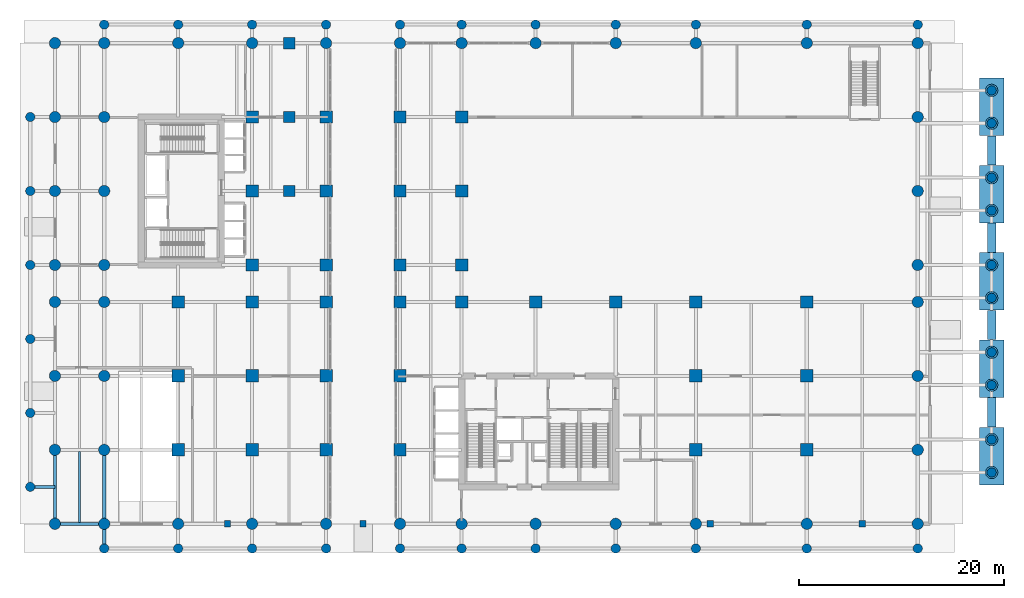
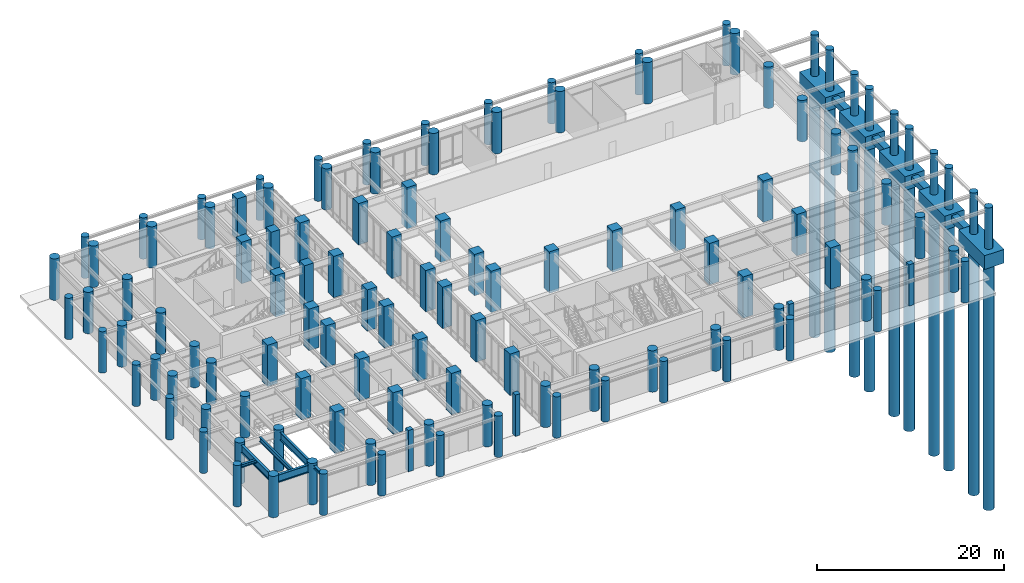
# One storey, part 1 of 23: 120 columns, 10 piles, 9 footings, 6 beams.
"""IFC4 building model written with IfcOpenShell, lengths in metres."""

from ifc_helpers import new_model, si_unit, derived_unit, direction, frame, origin, origin_2d, place, context, subcontext, project, spatial, polyline, rectangle, circle, i_section, outline, extrude, source, transform, mapped, material, layer, layer_set, material_profile, profile_set, type_object, type_shapes, element, save


model = new_model("IFC4")

# Units and contexts
model_context = context("Model", 3, precision=1e-05, world=origin(), true_north=direction((0.0, 1.0)))
body_context = subcontext(model_context, "Body", "Model", "MODEL_VIEW")
ifc_project = project(units=[si_unit("LENGTHUNIT", "METRE"), si_unit("AREAUNIT", "SQUARE_METRE"), si_unit("VOLUMEUNIT", "CUBIC_METRE"), si_unit("PLANEANGLEUNIT", "RADIAN"), si_unit("MASSUNIT", "GRAM", prefix="KILO"), si_unit("THERMODYNAMICTEMPERATUREUNIT", "KELVIN"), si_unit("POWERUNIT", "WATT"), derived_unit("THERMALTRANSMITTANCEUNIT", [(si_unit("POWERUNIT", "WATT"), 1), (si_unit("AREAUNIT", "SQUARE_METRE"), -1), (si_unit("THERMODYNAMICTEMPERATUREUNIT", "KELVIN"), -1)])], contexts=[model_context])

# Site, building, storey
site_placement = place(None, origin())
site = spatial("IfcSite", under=ifc_project, at=site_placement, CompositionType="ELEMENT")
building_placement = place(site_placement, origin())
building = spatial("IfcBuilding", under=site, at=building_placement, Name="Zahravan Archway Hotel and Residences", CompositionType="ELEMENT")
storey_placement = place(building_placement, origin())
storey = spatial("IfcBuildingStorey", under=building, at=storey_placement, Name="L00", CompositionType="ELEMENT", Elevation=0.0)

# Footings
ifc_material_1 = material(Name="Concrete C50/60", Category="concrete")
ifc_layer_1 = layer(ifc_material_1, 1.800048828125, Name="Concrete C50/60", Category="concrete")
ifc_layer_set_1 = layer_set([ifc_layer_1], Name="Concrete C50/60")
footing_type_1 = type_object("IfcFootingType", Name="FT-PCAP-1800", PredefinedType="PILE_CAP", material=ifc_layer_set_1)
footing_1_placement = place(storey_placement, frame((0.0, 0.0, -1.800048828125)))
element("IfcFooting", 1, at=footing_1_placement, inside=storey, type_object=footing_type_1, Name="East Porte-Cochere Two-Pile Cap 1", PredefinedType="PILE_CAP", context=body_context, shape_type="SweptSolid", body=[
    extrude(outline(polyline([(85.199951171875, 3.800048828125), (87.60009765625, 3.800048828125), (87.60009765625, 9.39990234375), (85.199951171875, 9.39990234375), (85.199951171875, 3.800048828125)])), origin(), (0.0, 0.0, 1.0), 1.800048828125),
])
footing_2_placement = place(storey_placement, frame((0.0, 0.0, -1.800048828125)))
element("IfcFooting", 2, at=footing_2_placement, inside=storey, type_object=footing_type_1, Name="East Porte-Cochere Two-Pile Cap 2", PredefinedType="PILE_CAP", context=body_context, shape_type="SweptSolid", body=[
    extrude(outline(polyline([(85.199951171875, 12.300048828125), (87.60009765625, 12.300048828125), (87.60009765625, 17.89990234375), (85.199951171875, 17.89990234375), (85.199951171875, 12.300048828125)])), origin(), (0.0, 0.0, 1.0), 1.800048828125),
])
footing_3_placement = place(storey_placement, frame((0.0, 0.0, -1.800048828125)))
element("IfcFooting", 3, at=footing_3_placement, inside=storey, type_object=footing_type_1, Name="East Porte-Cochere Two-Pile Cap 3", PredefinedType="PILE_CAP", context=body_context, shape_type="SweptSolid", body=[
    extrude(outline(polyline([(85.199951171875, 20.800048828125), (87.60009765625, 20.800048828125), (87.60009765625, 26.39990234375), (85.199951171875, 26.39990234375), (85.199951171875, 20.800048828125)])), origin(), (0.0, 0.0, 1.0), 1.800048828125),
])
footing_4_placement = place(storey_placement, frame((0.0, 0.0, -1.800048828125)))
element("IfcFooting", 4, at=footing_4_placement, inside=storey, type_object=footing_type_1, Name="East Porte-Cochere Two-Pile Cap 4", PredefinedType="PILE_CAP", context=body_context, shape_type="SweptSolid", body=[
    extrude(outline(polyline([(85.199951171875, 29.300048828125), (87.60009765625, 29.300048828125), (87.60009765625, 34.89990234375), (85.199951171875, 34.89990234375), (85.199951171875, 29.300048828125)])), origin(), (0.0, 0.0, 1.0), 1.800048828125),
])
footing_5_placement = place(storey_placement, frame((0.0, 0.0, -1.800048828125)))
element("IfcFooting", 5, at=footing_5_placement, inside=storey, type_object=footing_type_1, Name="East Porte-Cochere Two-Pile Cap 5", PredefinedType="PILE_CAP", context=body_context, shape_type="SweptSolid", body=[
    extrude(outline(polyline([(85.199951171875, 37.800048828125), (87.60009765625, 37.800048828125), (87.60009765625, 43.39990234375), (85.199951171875, 43.39990234375), (85.199951171875, 37.800048828125)])), origin(), (0.0, 0.0, 1.0), 1.800048828125),
])
ifc_layer_2 = layer(ifc_material_1, 0.800048828125, Name="Concrete C50/60", Category="concrete")
ifc_layer_set_2 = layer_set([ifc_layer_2], Name="Concrete C50/60")
footing_type_2 = type_object("IfcFootingType", Name="FT-TIE-800", PredefinedType="STRIP_FOOTING", material=ifc_layer_set_2)
footing_6_placement = place(storey_placement, frame((0.0, 0.0, -1.0)))
element("IfcFooting", 6, at=footing_6_placement, inside=storey, type_object=footing_type_2, Name="East Porte-Cochere Foundation Tie Beam 1", PredefinedType="STRIP_FOOTING", context=body_context, shape_type="SweptSolid", body=[
    extrude(outline(polyline([(86.0, 9.419921875), (86.800048828125, 9.419921875), (86.800048828125, 12.280029296875), (86.0, 12.280029296875), (86.0, 9.419921875)])), origin(), (0.0, 0.0, 1.0), 0.800048828125),
])
footing_7_placement = place(storey_placement, frame((0.0, 0.0, -1.0)))
element("IfcFooting", 7, at=footing_7_placement, inside=storey, type_object=footing_type_2, Name="East Porte-Cochere Foundation Tie Beam 2", PredefinedType="STRIP_FOOTING", context=body_context, shape_type="SweptSolid", body=[
    extrude(outline(polyline([(86.0, 17.919921875), (86.800048828125, 17.919921875), (86.800048828125, 20.780029296875), (86.0, 20.780029296875), (86.0, 17.919921875)])), origin(), (0.0, 0.0, 1.0), 0.800048828125),
])
footing_8_placement = place(storey_placement, frame((0.0, 0.0, -1.0)))
element("IfcFooting", 8, at=footing_8_placement, inside=storey, type_object=footing_type_2, Name="East Porte-Cochere Foundation Tie Beam 3", PredefinedType="STRIP_FOOTING", context=body_context, shape_type="SweptSolid", body=[
    extrude(outline(polyline([(86.0, 26.419921875), (86.800048828125, 26.419921875), (86.800048828125, 29.280029296875), (86.0, 29.280029296875), (86.0, 26.419921875)])), origin(), (0.0, 0.0, 1.0), 0.800048828125),
])
footing_9_placement = place(storey_placement, frame((0.0, 0.0, -1.0)))
element("IfcFooting", 9, at=footing_9_placement, inside=storey, type_object=footing_type_2, Name="East Porte-Cochere Foundation Tie Beam 4", PredefinedType="STRIP_FOOTING", context=body_context, shape_type="SweptSolid", body=[
    extrude(outline(polyline([(86.0, 34.919921875), (86.800048828125, 34.919921875), (86.800048828125, 37.780029296875), (86.0, 37.780029296875), (86.0, 34.919921875)])), origin(), (0.0, 0.0, 1.0), 0.800048828125),
])

# Piles
ifc_material_profile_1 = material_profile(ifc_material_1, circle(Radius=0.60009765625, at=origin_2d()), Name="PILE D1200", Category="concrete")
ifc_profile_set_1 = profile_set([ifc_material_profile_1], Name="Concrete C50/60")
pile_type = type_object("IfcPileType", Name="BP-1200", PredefinedType="BORED", material=ifc_profile_set_1)
shared_shape_1 = source(origin(), body_context, "Body", "SweptSolid", [
    extrude(circle(Radius=0.60009765625, at=origin_2d()), origin(), (0.0, 0.0, 1.0), 32.35009765625),
])
type_shapes(pile_type, [shared_shape_1])
for number, where, z_axis, x_axis, name in (
    (10, (86.39990234375, 5.0, -1.64990234375), (0.0, 0.0, -1.0), (1.0, 0.0, 0.0), "East Porte-Cochere Bored Pile BP-1200-01"),
    (11, (86.39990234375, 8.199951171875, -1.64990234375), (0.0, 0.0, -1.0), (1.0, 0.0, 0.0), "East Porte-Cochere Bored Pile BP-1200-02"),
    (12, (86.39990234375, 13.5, -1.64990234375), (0.0, 0.0, -1.0), (1.0, 0.0, 0.0), "East Porte-Cochere Bored Pile BP-1200-03"),
    (13, (86.39990234375, 16.699951171875, -1.64990234375), (0.0, 0.0, -1.0), (1.0, 0.0, 0.0), "East Porte-Cochere Bored Pile BP-1200-04"),
    (14, (86.39990234375, 22.0, -1.64990234375), (0.0, 0.0, -1.0), (1.0, 0.0, 0.0), "East Porte-Cochere Bored Pile BP-1200-05"),
    (15, (86.39990234375, 25.199951171875, -1.64990234375), (0.0, 0.0, -1.0), (1.0, 0.0, 0.0), "East Porte-Cochere Bored Pile BP-1200-06"),
    (16, (86.39990234375, 30.5, -1.64990234375), (0.0, 0.0, -1.0), (1.0, 0.0, 0.0), "East Porte-Cochere Bored Pile BP-1200-07"),
    (17, (86.39990234375, 33.699951171875, -1.64990234375), (0.0, 0.0, -1.0), (1.0, 0.0, 0.0), "East Porte-Cochere Bored Pile BP-1200-08"),
    (18, (86.39990234375, 39.0, -1.64990234375), (0.0, 0.0, -1.0), (1.0, 0.0, 0.0), "East Porte-Cochere Bored Pile BP-1200-09"),
    (19, (86.39990234375, 42.199951171875, -1.64990234375), (0.0, 0.0, -1.0), (1.0, 0.0, 0.0), "East Porte-Cochere Bored Pile BP-1200-10"),
):
    element("IfcPile", number, at=place(storey_placement, frame(where, z_axis=z_axis, x_axis=x_axis)), inside=storey, type_object=pile_type, Name=name, PredefinedType="BORED", context=body_context, shape_type="MappedRepresentation", body=[
        mapped(shared_shape_1, transform((0.0, 0.0, 0.0), scale=1.0)),
    ])

# Columns
ifc_material_2 = material(Name="Concrete C70/85", Category="concrete")
ifc_material_profile_2 = material_profile(ifc_material_2, circle(Radius=0.550048828125, at=origin_2d()), Name="RC-CIRC-1100", Category="concrete")
ifc_profile_set_2 = profile_set([ifc_material_profile_2], Name="Concrete C70/85")
column_type_1 = type_object("IfcColumnType", Name="COL-RND-1100", PredefinedType="COLUMN", material=ifc_profile_set_2)
shared_shape_2 = source(origin(), body_context, "Body", "SweptSolid", [
    extrude(circle(Radius=0.550048828125, at=origin_2d()), origin(), (0.0, 0.0, 1.0), 5.39990234375),
])
type_shapes(column_type_1, [shared_shape_2])
for number, where, z_axis, x_axis, name in (
    (20, (-4.800048828125, 0.0, 0.0), (0.0, 0.0, 1.0), (1.0, 0.0, 0.0), "L00 Column 0-A"),
    (21, (-4.800048828125, 7.199951171875, 0.0), (0.0, 0.0, 1.0), (1.0, 0.0, 0.0), "L00 Column 0-B"),
    (22, (-4.800048828125, 14.39990234375, 0.0), (0.0, 0.0, 1.0), (1.0, 0.0, 0.0), "L00 Column 0-C"),
    (23, (-4.800048828125, 21.60009765625, 0.0), (0.0, 0.0, 1.0), (1.0, 0.0, 0.0), "L00 Column 0-D"),
    (24, (-4.800048828125, 25.199951171875, 0.0), (0.0, 0.0, 1.0), (1.0, 0.0, 0.0), "L00 Column 0-E"),
    (25, (-4.800048828125, 32.39990234375, 0.0), (0.0, 0.0, 1.0), (1.0, 0.0, 0.0), "L00 Column 0-F"),
    (26, (-4.800048828125, 39.60009765625, 0.0), (0.0, 0.0, 1.0), (1.0, 0.0, 0.0), "L00 Column 0-G"),
    (27, (-4.800048828125, 46.800048828125, 0.0), (0.0, 0.0, 1.0), (1.0, 0.0, 0.0), "L00 Column 0-H"),
    (28, (0.0, 0.0, 0.0), (0.0, 0.0, 1.0), (1.0, 0.0, 0.0), "L00 Column 1-A"),
    (29, (0.0, 7.199951171875, 0.0), (0.0, 0.0, 1.0), (1.0, 0.0, 0.0), "L00 Column 1-B"),
    (30, (0.0, 14.39990234375, 0.0), (0.0, 0.0, 1.0), (1.0, 0.0, 0.0), "L00 Column 1-C"),
    (31, (0.0, 21.60009765625, 0.0), (0.0, 0.0, 1.0), (1.0, 0.0, 0.0), "L00 Column 1-D"),
    (32, (0.0, 25.199951171875, 0.0), (0.0, 0.0, 1.0), (1.0, 0.0, 0.0), "L00 Column 1-E"),
    (33, (0.0, 32.39990234375, 0.0), (0.0, 0.0, 1.0), (1.0, 0.0, 0.0), "L00 Column 1-F"),
    (34, (0.0, 39.60009765625, 0.0), (0.0, 0.0, 1.0), (1.0, 0.0, 0.0), "L00 Column 1-G"),
    (35, (0.0, 46.800048828125, 0.0), (0.0, 0.0, 1.0), (1.0, 0.0, 0.0), "L00 Column 1-H"),
    (36, (7.199951171875, 0.0, 0.0), (0.0, 0.0, 1.0), (1.0, 0.0, 0.0), "L00 Column 2-A"),
    (37, (7.199951171875, 46.800048828125, 0.0), (0.0, 0.0, 1.0), (1.0, 0.0, 0.0), "L00 Column 2-H"),
    (38, (14.39990234375, 0.0, 0.0), (0.0, 0.0, 1.0), (1.0, 0.0, 0.0), "L00 Column 3-A"),
    (39, (14.39990234375, 46.800048828125, 0.0), (0.0, 0.0, 1.0), (1.0, 0.0, 0.0), "L00 Column 3-H"),
    (40, (21.60009765625, 0.0, 0.0), (0.0, 0.0, 1.0), (1.0, 0.0, 0.0), "L00 Column 4-A"),
    (41, (21.60009765625, 46.800048828125, 0.0), (0.0, 0.0, 1.0), (1.0, 0.0, 0.0), "L00 Column 4-H"),
    (42, (28.800048828125, 0.0, 0.0), (0.0, 0.0, 1.0), (1.0, 0.0, 0.0), "L00 Column 5-A"),
    (43, (28.800048828125, 46.800048828125, 0.0), (0.0, 0.0, 1.0), (1.0, 0.0, 0.0), "L00 Column 5-H"),
    (44, (34.800048828125, 0.0, 0.0), (0.0, 0.0, 1.0), (1.0, 0.0, 0.0), "L00 Column 6-A"),
    (45, (34.800048828125, 46.800048828125, 0.0), (0.0, 0.0, 1.0), (1.0, 0.0, 0.0), "L00 Column 6-H"),
    (46, (42.0, 0.0, 0.0), (0.0, 0.0, 1.0), (1.0, 0.0, 0.0), "L00 Column 7-A"),
    (47, (42.0, 46.800048828125, 0.0), (0.0, 0.0, 1.0), (1.0, 0.0, 0.0), "L00 Column 7-H"),
    (48, (49.800048828125, 0.0, 0.0), (0.0, 0.0, 1.0), (1.0, 0.0, 0.0), "L00 Column 8-A"),
    (49, (49.800048828125, 46.800048828125, 0.0), (0.0, 0.0, 1.0), (1.0, 0.0, 0.0), "L00 Column 8-H"),
    (50, (57.60009765625, 0.0, 0.0), (0.0, 0.0, 1.0), (1.0, 0.0, 0.0), "L00 Column 9-A"),
    (51, (57.60009765625, 46.800048828125, 0.0), (0.0, 0.0, 1.0), (1.0, 0.0, 0.0), "L00 Column 9-H"),
    (52, (68.39990234375, 0.0, 0.0), (0.0, 0.0, 1.0), (1.0, 0.0, 0.0), "L00 Column 10-A"),
    (53, (68.39990234375, 46.800048828125, 0.0), (0.0, 0.0, 1.0), (1.0, 0.0, 0.0), "L00 Column 10-H"),
    (54, (79.199951171875, 0.0, 0.0), (0.0, 0.0, 1.0), (1.0, 0.0, 0.0), "L00 Column 11-A"),
    (55, (79.199951171875, 7.199951171875, 0.0), (0.0, 0.0, 1.0), (1.0, 0.0, 0.0), "L00 Column 11-B"),
    (56, (79.199951171875, 14.39990234375, 0.0), (0.0, 0.0, 1.0), (1.0, 0.0, 0.0), "L00 Column 11-C"),
    (57, (79.199951171875, 21.60009765625, 0.0), (0.0, 0.0, 1.0), (1.0, 0.0, 0.0), "L00 Column 11-D"),
    (58, (79.199951171875, 25.199951171875, 0.0), (0.0, 0.0, 1.0), (1.0, 0.0, 0.0), "L00 Column 11-E"),
    (59, (79.199951171875, 32.39990234375, 0.0), (0.0, 0.0, 1.0), (1.0, 0.0, 0.0), "L00 Column 11-F"),
    (60, (79.199951171875, 39.60009765625, 0.0), (0.0, 0.0, 1.0), (1.0, 0.0, 0.0), "L00 Column 11-G"),
    (61, (79.199951171875, 46.800048828125, 0.0), (0.0, 0.0, 1.0), (1.0, 0.0, 0.0), "L00 Column 11-H"),
):
    element("IfcColumn", number, at=place(storey_placement, frame(where, z_axis=z_axis, x_axis=x_axis)), inside=storey, type_object=column_type_1, Name=name, PredefinedType="COLUMN", context=body_context, shape_type="MappedRepresentation", body=[
        mapped(shared_shape_2, transform((0.0, 0.0, 0.0), scale=1.0)),
    ])
ifc_material_profile_3 = material_profile(ifc_material_2, rectangle(XDim=1.199951171875, YDim=1.199951171875, at=origin_2d()), Name="RC-COL-1200x1200", Category="concrete")
ifc_profile_set_3 = profile_set([ifc_material_profile_3], Name="Concrete C70/85")
column_type_2 = type_object("IfcColumnType", Name="COL-RC-1200", PredefinedType="COLUMN", material=ifc_profile_set_3)
shared_shape_3 = source(origin(), body_context, "Body", "SweptSolid", [
    extrude(rectangle(XDim=1.199951171875, YDim=1.199951171875, at=origin_2d()), origin(), (0.0, 0.0, 1.0), 5.39990234375),
])
for number, where, z_axis, x_axis, name in (
    (62, (7.199951171875, 7.199951171875, 0.0), (0.0, 0.0, 1.0), (1.0, 0.0, 0.0), "L00 Column 2-B"),
    (63, (7.199951171875, 14.39990234375, 0.0), (0.0, 0.0, 1.0), (1.0, 0.0, 0.0), "L00 Column 2-C"),
    (64, (7.199951171875, 21.60009765625, 0.0), (0.0, 0.0, 1.0), (1.0, 0.0, 0.0), "L00 Column 2-D"),
    (65, (14.39990234375, 7.199951171875, 0.0), (0.0, 0.0, 1.0), (1.0, 0.0, 0.0), "L00 Column 3-B"),
    (66, (14.39990234375, 14.39990234375, 0.0), (0.0, 0.0, 1.0), (1.0, 0.0, 0.0), "L00 Column 3-C"),
    (67, (14.39990234375, 21.60009765625, 0.0), (0.0, 0.0, 1.0), (1.0, 0.0, 0.0), "L00 Column 3-D"),
    (68, (14.39990234375, 25.199951171875, 0.0), (0.0, 0.0, 1.0), (1.0, 0.0, 0.0), "L00 Column 3-E"),
    (69, (14.39990234375, 32.39990234375, 0.0), (0.0, 0.0, 1.0), (1.0, 0.0, 0.0), "L00 Column 3-F"),
    (70, (14.39990234375, 39.60009765625, 0.0), (0.0, 0.0, 1.0), (1.0, 0.0, 0.0), "L00 Column 3-G"),
    (71, (21.60009765625, 7.199951171875, 0.0), (0.0, 0.0, 1.0), (1.0, 0.0, 0.0), "L00 Column 4-B"),
    (72, (21.60009765625, 14.39990234375, 0.0), (0.0, 0.0, 1.0), (1.0, 0.0, 0.0), "L00 Column 4-C"),
    (73, (21.60009765625, 21.60009765625, 0.0), (0.0, 0.0, 1.0), (1.0, 0.0, 0.0), "L00 Column 4-D"),
    (74, (21.60009765625, 25.199951171875, 0.0), (0.0, 0.0, 1.0), (1.0, 0.0, 0.0), "L00 Column 4-E"),
    (75, (21.60009765625, 32.39990234375, 0.0), (0.0, 0.0, 1.0), (1.0, 0.0, 0.0), "L00 Column 4-F"),
    (76, (21.60009765625, 39.60009765625, 0.0), (0.0, 0.0, 1.0), (1.0, 0.0, 0.0), "L00 Column 4-G"),
    (77, (28.800048828125, 7.199951171875, 0.0), (0.0, 0.0, 1.0), (1.0, 0.0, 0.0), "L00 Column 5-B"),
    (78, (28.800048828125, 14.39990234375, 0.0), (0.0, 0.0, 1.0), (1.0, 0.0, 0.0), "L00 Column 5-C"),
    (79, (28.800048828125, 21.60009765625, 0.0), (0.0, 0.0, 1.0), (1.0, 0.0, 0.0), "L00 Column 5-D"),
    (80, (28.800048828125, 25.199951171875, 0.0), (0.0, 0.0, 1.0), (1.0, 0.0, 0.0), "L00 Column 5-E"),
    (81, (28.800048828125, 32.39990234375, 0.0), (0.0, 0.0, 1.0), (1.0, 0.0, 0.0), "L00 Column 5-F"),
    (82, (28.800048828125, 39.60009765625, 0.0), (0.0, 0.0, 1.0), (1.0, 0.0, 0.0), "L00 Column 5-G"),
    (83, (34.800048828125, 21.60009765625, 0.0), (0.0, 0.0, 1.0), (1.0, 0.0, 0.0), "L00 Column 6-D"),
    (84, (34.800048828125, 25.199951171875, 0.0), (0.0, 0.0, 1.0), (1.0, 0.0, 0.0), "L00 Column 6-E"),
    (85, (34.800048828125, 32.39990234375, 0.0), (0.0, 0.0, 1.0), (1.0, 0.0, 0.0), "L00 Column 6-F"),
    (86, (34.800048828125, 39.60009765625, 0.0), (0.0, 0.0, 1.0), (1.0, 0.0, 0.0), "L00 Column 6-G"),
    (87, (42.0, 21.60009765625, 0.0), (0.0, 0.0, 1.0), (1.0, 0.0, 0.0), "L00 Column 7-D"),
    (88, (49.800048828125, 21.60009765625, 0.0), (0.0, 0.0, 1.0), (1.0, 0.0, 0.0), "L00 Column 8-D"),
    (89, (57.60009765625, 7.199951171875, 0.0), (0.0, 0.0, 1.0), (1.0, 0.0, 0.0), "L00 Column 9-B"),
    (90, (57.60009765625, 14.39990234375, 0.0), (0.0, 0.0, 1.0), (1.0, 0.0, 0.0), "L00 Column 9-C"),
    (91, (57.60009765625, 21.60009765625, 0.0), (0.0, 0.0, 1.0), (1.0, 0.0, 0.0), "L00 Column 9-D"),
    (92, (68.39990234375, 7.199951171875, 0.0), (0.0, 0.0, 1.0), (1.0, 0.0, 0.0), "L00 Column 10-B"),
    (93, (68.39990234375, 14.39990234375, 0.0), (0.0, 0.0, 1.0), (1.0, 0.0, 0.0), "L00 Column 10-C"),
    (94, (68.39990234375, 21.60009765625, 0.0), (0.0, 0.0, 1.0), (1.0, 0.0, 0.0), "L00 Column 10-D"),
):
    element("IfcColumn", number, at=place(storey_placement, frame(where, z_axis=z_axis, x_axis=x_axis)), inside=storey, type_object=column_type_2, Name=name, PredefinedType="COLUMN", context=body_context, shape_type="MappedRepresentation", body=[
        mapped(shared_shape_3, transform((0.0, 0.0, 0.0), scale=1.0)),
    ])
ifc_material_3 = material(Name="Concrete C60/75", Category="concrete")
ifc_material_profile_4 = material_profile(ifc_material_3, circle(Radius=0.449951171875, at=origin_2d()), Name="RC-CIRC-900", Category="concrete")
ifc_profile_set_4 = profile_set([ifc_material_profile_4], Name="Concrete C60/75")
column_type_3 = type_object("IfcColumnType", Name="COL-RND-900", PredefinedType="COLUMN", material=ifc_profile_set_4)
shared_shape_4 = source(origin(), body_context, "Body", "SweptSolid", [
    extrude(circle(Radius=0.449951171875, at=origin_2d()), origin(), (0.0, 0.0, 1.0), 5.39990234375),
])
type_shapes(column_type_3, [shared_shape_4])
for number, where, z_axis, x_axis, name in (
    (95, (-7.199951171875, 3.60009765625, 0.0), (0.0, 0.0, 1.0), (1.0, 0.0, 0.0), "L00 Column WCOL-1"),
    (96, (-7.199951171875, 10.800048828125, 0.0), (0.0, 0.0, 1.0), (1.0, 0.0, 0.0), "L00 Column WCOL-2"),
    (97, (-7.199951171875, 18.0, 0.0), (0.0, 0.0, 1.0), (1.0, 0.0, 0.0), "L00 Column WCOL-3"),
    (98, (-7.199951171875, 25.199951171875, 0.0), (0.0, 0.0, 1.0), (1.0, 0.0, 0.0), "L00 Column WCOL-4"),
    (99, (-7.199951171875, 32.39990234375, 0.0), (0.0, 0.0, 1.0), (1.0, 0.0, 0.0), "L00 Column WCOL-5"),
    (100, (-7.199951171875, 39.60009765625, 0.0), (0.0, 0.0, 1.0), (1.0, 0.0, 0.0), "L00 Column WCOL-6"),
    (101, (0.0, -2.39990234375, 0.0), (0.0, 0.0, 1.0), (1.0, 0.0, 0.0), "L00 Column SCOL-1"),
    (102, (0.0, 48.60009765625, 0.0), (0.0, 0.0, 1.0), (1.0, 0.0, 0.0), "L00 Column NCOL-1"),
    (103, (7.199951171875, -2.39990234375, 0.0), (0.0, 0.0, 1.0), (1.0, 0.0, 0.0), "L00 Column SCOL-2"),
    (104, (7.199951171875, 48.60009765625, 0.0), (0.0, 0.0, 1.0), (1.0, 0.0, 0.0), "L00 Column NCOL-2"),
    (105, (14.39990234375, -2.39990234375, 0.0), (0.0, 0.0, 1.0), (1.0, 0.0, 0.0), "L00 Column SCOL-3"),
    (106, (14.39990234375, 48.60009765625, 0.0), (0.0, 0.0, 1.0), (1.0, 0.0, 0.0), "L00 Column NCOL-3"),
    (107, (21.60009765625, -2.39990234375, 0.0), (0.0, 0.0, 1.0), (1.0, 0.0, 0.0), "L00 Column SCOL-4"),
    (108, (21.60009765625, 48.60009765625, 0.0), (0.0, 0.0, 1.0), (1.0, 0.0, 0.0), "L00 Column NCOL-4"),
    (109, (28.800048828125, -2.39990234375, 0.0), (0.0, 0.0, 1.0), (1.0, 0.0, 0.0), "L00 Column SCOL-5"),
    (110, (28.800048828125, 48.60009765625, 0.0), (0.0, 0.0, 1.0), (1.0, 0.0, 0.0), "L00 Column NCOL-5"),
    (111, (34.800048828125, -2.39990234375, 0.0), (0.0, 0.0, 1.0), (1.0, 0.0, 0.0), "L00 Column SCOL-6"),
    (112, (34.800048828125, 48.60009765625, 0.0), (0.0, 0.0, 1.0), (1.0, 0.0, 0.0), "L00 Column NCOL-6"),
    (113, (42.0, -2.39990234375, 0.0), (0.0, 0.0, 1.0), (1.0, 0.0, 0.0), "L00 Column SCOL-7"),
    (114, (42.0, 48.60009765625, 0.0), (0.0, 0.0, 1.0), (1.0, 0.0, 0.0), "L00 Column NCOL-7"),
    (115, (49.800048828125, -2.39990234375, 0.0), (0.0, 0.0, 1.0), (1.0, 0.0, 0.0), "L00 Column SCOL-8"),
    (116, (49.800048828125, 48.60009765625, 0.0), (0.0, 0.0, 1.0), (1.0, 0.0, 0.0), "L00 Column NCOL-8"),
    (117, (57.60009765625, -2.39990234375, 0.0), (0.0, 0.0, 1.0), (1.0, 0.0, 0.0), "L00 Column SCOL-9"),
    (118, (57.60009765625, 48.60009765625, 0.0), (0.0, 0.0, 1.0), (1.0, 0.0, 0.0), "L00 Column NCOL-9"),
    (119, (68.39990234375, -2.39990234375, 0.0), (0.0, 0.0, 1.0), (1.0, 0.0, 0.0), "L00 Column SCOL-10"),
    (120, (68.39990234375, 48.60009765625, 0.0), (0.0, 0.0, 1.0), (1.0, 0.0, 0.0), "L00 Column NCOL-10"),
    (121, (79.199951171875, -2.39990234375, 0.0), (0.0, 0.0, 1.0), (1.0, 0.0, 0.0), "L00 Column SCOL-11"),
    (122, (79.199951171875, 48.60009765625, 0.0), (0.0, 0.0, 1.0), (1.0, 0.0, 0.0), "L00 Column NCOL-11"),
    (123, (86.39990234375, 5.0, 0.0), (0.0, 0.0, 1.0), (1.0, 0.0, 0.0), "L00 Column ECOL-1"),
    (124, (86.39990234375, 8.199951171875, 0.0), (0.0, 0.0, 1.0), (1.0, 0.0, 0.0), "L00 Column ECOL-2"),
    (125, (86.39990234375, 13.5, 0.0), (0.0, 0.0, 1.0), (1.0, 0.0, 0.0), "L00 Column ECOL-3"),
    (126, (86.39990234375, 16.699951171875, 0.0), (0.0, 0.0, 1.0), (1.0, 0.0, 0.0), "L00 Column ECOL-4"),
    (127, (86.39990234375, 22.0, 0.0), (0.0, 0.0, 1.0), (1.0, 0.0, 0.0), "L00 Column ECOL-5"),
    (128, (86.39990234375, 25.199951171875, 0.0), (0.0, 0.0, 1.0), (1.0, 0.0, 0.0), "L00 Column ECOL-6"),
    (129, (86.39990234375, 30.5, 0.0), (0.0, 0.0, 1.0), (1.0, 0.0, 0.0), "L00 Column ECOL-7"),
    (130, (86.39990234375, 33.699951171875, 0.0), (0.0, 0.0, 1.0), (1.0, 0.0, 0.0), "L00 Column ECOL-8"),
    (131, (86.39990234375, 39.0, 0.0), (0.0, 0.0, 1.0), (1.0, 0.0, 0.0), "L00 Column ECOL-9"),
    (132, (86.39990234375, 42.199951171875, 0.0), (0.0, 0.0, 1.0), (1.0, 0.0, 0.0), "L00 Column ECOL-10"),
):
    element("IfcColumn", number, at=place(storey_placement, frame(where, z_axis=z_axis, x_axis=x_axis)), inside=storey, type_object=column_type_3, Name=name, PredefinedType="COLUMN", context=body_context, shape_type="MappedRepresentation", body=[
        mapped(shared_shape_4, transform((0.0, 0.0, 0.0), scale=1.0)),
    ])
ifc_material_profile_5 = material_profile(ifc_material_2, rectangle(XDim=1.10009765625, YDim=1.10009765625, at=origin_2d()), Name="RC 1100x1100", Category="concrete")
ifc_profile_set_5 = profile_set([ifc_material_profile_5], Name="Concrete C70/85")
column_type_4 = type_object("IfcColumnType", Name="COL-RC-1100", PredefinedType="COLUMN", material=ifc_profile_set_5)
shared_shape_5 = source(origin(), body_context, "Body", "SweptSolid", [
    extrude(rectangle(XDim=1.10009765625, YDim=1.10009765625, at=origin_2d()), origin(), (0.0, 0.0, 1.0), 5.39990234375),
])
for number, where, z_axis, x_axis, name in (
    (133, (18.0, 32.39990234375, 0.0), (0.0, 0.0, 1.0), (1.0, 0.0, 0.0), "L00 Column 3B-F"),
    (134, (18.0, 39.60009765625, 0.0), (0.0, 0.0, 1.0), (1.0, 0.0, 0.0), "L00 Column 3B-G"),
    (135, (18.0, 46.800048828125, 0.0), (0.0, 0.0, 1.0), (1.0, 0.0, 0.0), "L00 Column 3B-H"),
):
    element("IfcColumn", number, at=place(storey_placement, frame(where, z_axis=z_axis, x_axis=x_axis)), inside=storey, type_object=column_type_4, Name=name, PredefinedType="COLUMN", context=body_context, shape_type="MappedRepresentation", body=[
        mapped(shared_shape_5, transform((0.0, 0.0, 0.0), scale=1.0)),
    ])
ifc_material_4 = material(Name="Concrete C45/55", Category="concrete")
ifc_material_profile_6 = material_profile(ifc_material_4, rectangle(XDim=0.60009765625, YDim=0.60009765625, at=origin_2d()), Name="RC 600x600", Category="concrete")
ifc_profile_set_6 = profile_set([ifc_material_profile_6], Name="Concrete C45/55")
column_type_5 = type_object("IfcColumnType", Name="PIL-STONE-600", PredefinedType="PILASTER", material=ifc_profile_set_6)
shared_shape_6 = source(origin(), body_context, "Body", "SweptSolid", [
    extrude(rectangle(XDim=0.60009765625, YDim=0.60009765625, at=origin_2d()), origin(), (0.0, 0.0, 1.0), 5.39990234375),
])
type_shapes(column_type_5, [shared_shape_6])
for number, where, z_axis, x_axis, name in (
    (136, (12.0, 0.0, 0.0), (0.0, 0.0, 1.0), (1.0, 0.0, 0.0), "L00 South Arcade Pilaster S1"),
    (137, (25.199951171875, 0.0, 0.0), (0.0, 0.0, 1.0), (1.0, 0.0, 0.0), "L00 South Arcade Pilaster S2"),
    (138, (59.0, 0.0, 0.0), (0.0, 0.0, 1.0), (1.0, 0.0, 0.0), "L00 South Arcade Pilaster S3"),
    (139, (73.800048828125, 0.0, 0.0), (0.0, 0.0, 1.0), (1.0, 0.0, 0.0), "L00 South Arcade Pilaster S4"),
):
    element("IfcColumn", number, at=place(storey_placement, frame(where, z_axis=z_axis, x_axis=x_axis)), inside=storey, type_object=column_type_5, Name=name, PredefinedType="PILASTER", context=body_context, shape_type="MappedRepresentation", body=[
        mapped(shared_shape_6, transform((0.0, 0.0, 0.0), scale=1.0)),
    ])

# Beams
ifc_material_5 = material(Name="Structural Steel S355J2", Category="steel")
ifc_material_profile_7 = material_profile(ifc_material_5, i_section(OverallWidth=0.300048828125, OverallDepth=1.0, WebThickness=0.01904296875, FlangeThickness=0.035888671875, FilletRadius=0.030029296875, at=origin_2d()), Name="HEB 1000", Category="steel")
ifc_profile_set_7 = profile_set([ifc_material_profile_7], Name="Structural Steel S355J2")
beam_type_1 = type_object("IfcBeamType", Name="BM-PRI-HEB1000", PredefinedType="BEAM", material=ifc_profile_set_7)
shared_shape_7 = source(origin(), body_context, "Body", "SweptSolid", [
    extrude(i_section(OverallWidth=0.300048828125, OverallDepth=1.0, WebThickness=0.01904296875, FlangeThickness=0.035888671875, FilletRadius=0.030029296875, at=origin_2d()), origin(), (0.0, 0.0, 1.0), 4.800048828125),
])
type_shapes(beam_type_1, [shared_shape_7])
beam_1_placement = place(storey_placement, frame((-4.800048828125, 0.0, 4.60009765625), z_axis=(1.0, 0.0, 0.0), x_axis=(0.0, 1.0, 0.0)))
element("IfcBeam", 140, at=beam_1_placement, inside=storey, type_object=beam_type_1, Name="L00 Primary Girder EW-01", PredefinedType="BEAM", context=body_context, shape_type="MappedRepresentation", body=[
    mapped(shared_shape_7, transform((0.0, 0.0, 0.0), scale=1.0)),
])
shared_shape_8 = source(origin(), body_context, "Body", "SweptSolid", [
    extrude(i_section(OverallWidth=0.300048828125, OverallDepth=1.0, WebThickness=0.01904296875, FlangeThickness=0.035888671875, FilletRadius=0.030029296875, at=origin_2d()), origin(), (0.0, 0.0, 1.0), 7.199951171875),
])
for number, where, z_axis, x_axis, name in (
    (141, (-4.800048828125, 0.0, 4.60009765625), (0.0, 1.0, 0.0), (-1.0, 0.0, 0.0), "L00 Primary Girder NS-62"),
    (142, (0.0, 0.0, 4.60009765625), (0.0, 1.0, 0.0), (-1.0, 0.0, 0.0), "L00 Primary Girder NS-69"),
):
    element("IfcBeam", number, at=place(storey_placement, frame(where, z_axis=z_axis, x_axis=x_axis)), inside=storey, type_object=beam_type_1, Name=name, PredefinedType="BEAM", context=body_context, shape_type="MappedRepresentation", body=[
        mapped(shared_shape_8, transform((0.0, 0.0, 0.0), scale=1.0)),
    ])
ifc_material_6 = material(Name="Structural Steel S355JR", Category="steel")
ifc_material_profile_8 = material_profile(ifc_material_6, i_section(OverallWidth=0.219970703125, OverallDepth=0.60009765625, WebThickness=0.011962890625, FlangeThickness=0.01904296875, FilletRadius=0.02392578125, at=origin_2d()), Name="IPE 600", Category="steel")
ifc_profile_set_8 = profile_set([ifc_material_profile_8], Name="Structural Steel S355JR")
beam_type_2 = type_object("IfcBeamType", Name="BM-JST-IPE600", PredefinedType="JOIST", material=ifc_profile_set_8)
shared_shape_9 = source(origin(), body_context, "Body", "SweptSolid", [
    extrude(i_section(OverallWidth=0.219970703125, OverallDepth=0.60009765625, WebThickness=0.011962890625, FlangeThickness=0.01904296875, FilletRadius=0.02392578125, at=origin_2d()), origin(), (0.0, 0.0, 1.0), 6.904052734375),
])
type_shapes(beam_type_2, [shared_shape_9])
beam_2_placement = place(storey_placement, frame((-2.39990234375, 0.14794921875, 4.800048828125), z_axis=(0.0, 1.0, 0.0), x_axis=(-1.0, 0.0, 0.0)))
element("IfcBeam", 143, at=beam_2_placement, inside=storey, type_object=beam_type_2, Name="L00 Composite Floor Joist 01", PredefinedType="JOIST", context=body_context, shape_type="MappedRepresentation", body=[
    mapped(shared_shape_9, transform((0.0, 0.0, 0.0), scale=1.0)),
])
ifc_material_profile_9 = material_profile(ifc_material_6, i_section(OverallWidth=0.300048828125, OverallDepth=0.39990234375, WebThickness=0.013427734375, FlangeThickness=0.02392578125, FilletRadius=0.027099609375, at=origin_2d()), Name="HEB 400", Category="steel")
ifc_profile_set_9 = profile_set([ifc_material_profile_9], Name="Structural Steel S355JR")
beam_type_3 = type_object("IfcBeamType", Name="BM-PRI-HEB400", PredefinedType="BEAM", material=ifc_profile_set_9)
shared_shape_10 = source(origin(), body_context, "Body", "SweptSolid", [
    extrude(i_section(OverallWidth=0.300048828125, OverallDepth=0.39990234375, WebThickness=0.013427734375, FlangeThickness=0.02392578125, FilletRadius=0.027099609375, at=origin_2d()), origin(), (0.0, 0.0, 1.0), 2.39990234375),
])
for number, where, z_axis, x_axis, name in (
    (144, (-7.199951171875, 3.60009765625, 4.89990234375), (1.0, 0.0, 0.0), (0.0, 1.0, 0.0), "L00 West Colonnade Tie Girder 1"),
    (145, (0.0, -2.39990234375, 4.89990234375), (0.0, 1.0, 0.0), (-1.0, 0.0, 0.0), "L00 South Colonnade Tie Girder 1"),
):
    element("IfcBeam", number, at=place(storey_placement, frame(where, z_axis=z_axis, x_axis=x_axis)), inside=storey, type_object=beam_type_3, Name=name, PredefinedType="BEAM", context=body_context, shape_type="MappedRepresentation", body=[
        mapped(shared_shape_10, transform((0.0, 0.0, 0.0), scale=1.0)),
    ])

save(model, "model.ifc")
